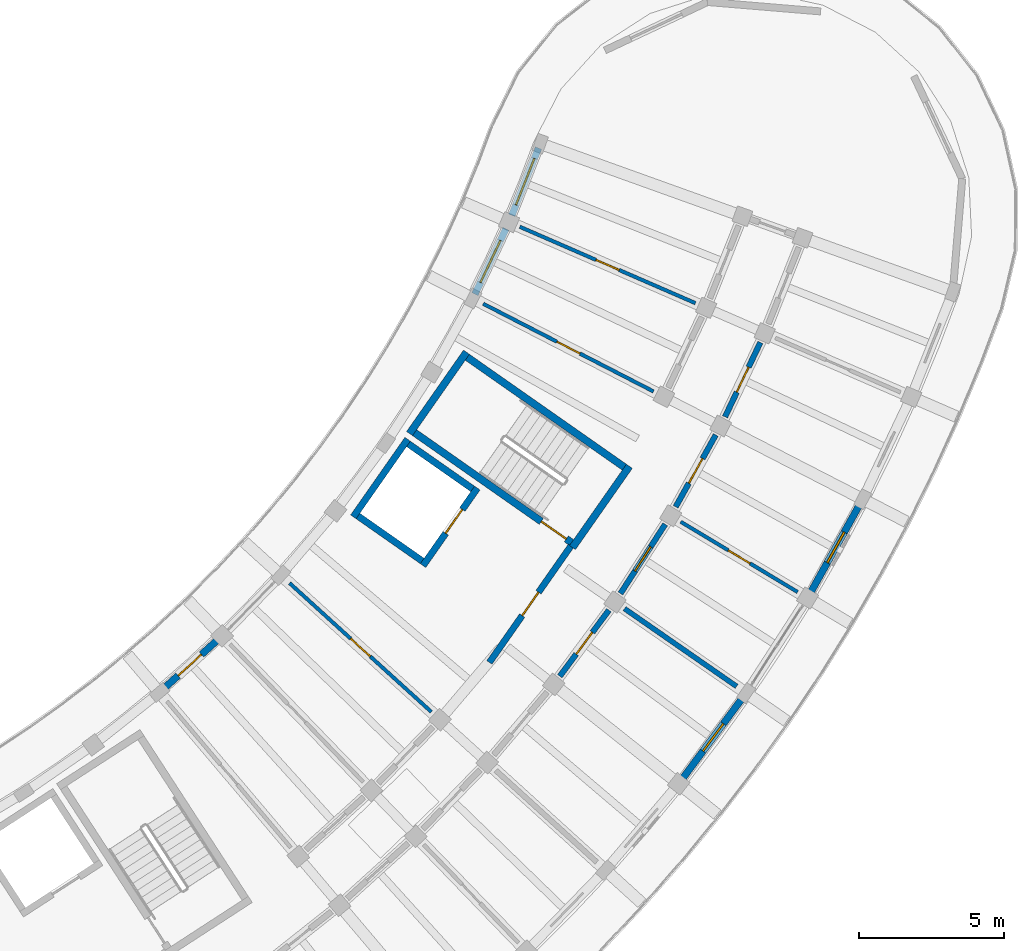
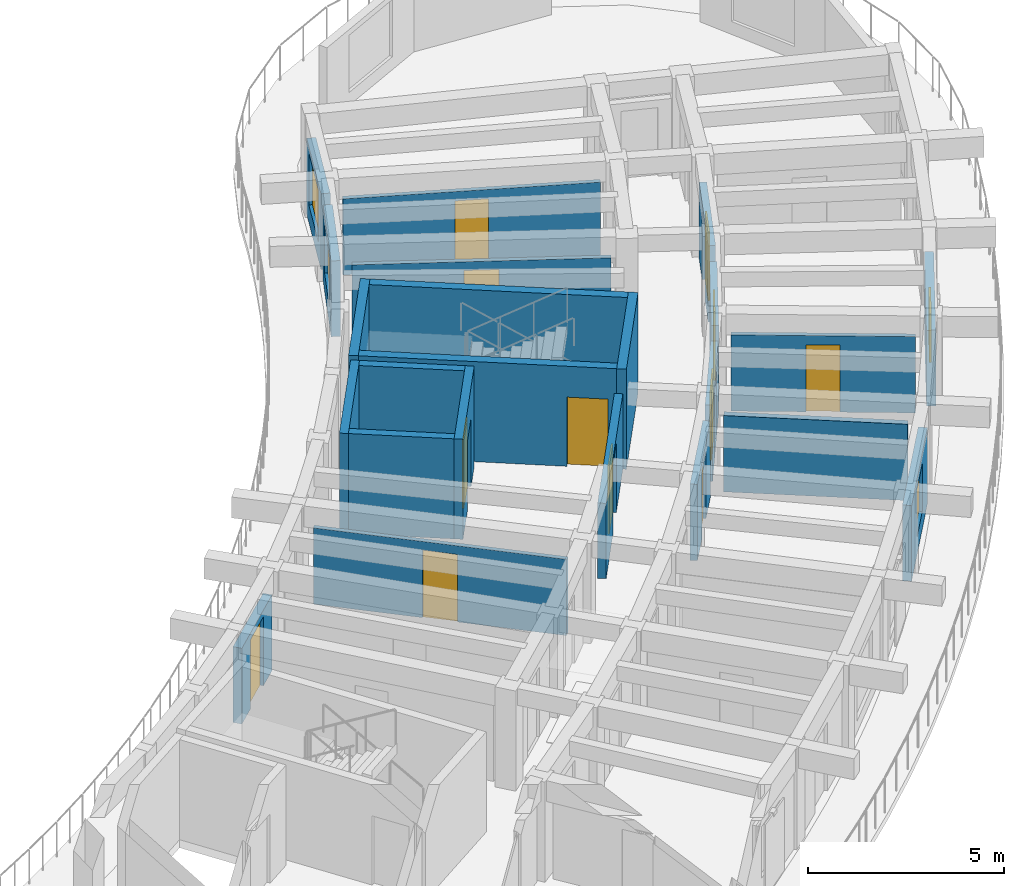
# One storey, part 50 of 78: 23 walls, 12 doors, 4 windows, 16 openings.
"""IFC4 building model written with IfcOpenShell, lengths in metres."""

from ifc_helpers import new_model, si_unit, direction, frame, frame_2d, origin, place, context, subcontext, project, spatial, rectangle, extrude, material, layer, layer_set, type_object, element, fill, save


model = new_model("IFC4")

# Units and contexts
model_context = context("Model", 3, precision=1e-05, world=origin(), true_north=direction((0.0, 1.0)))
body_context = subcontext(model_context, "Body", "Model", "MODEL_VIEW")
ifc_project = project(units=[si_unit("LENGTHUNIT", "METRE"), si_unit("AREAUNIT", "SQUARE_METRE"), si_unit("VOLUMEUNIT", "CUBIC_METRE"), si_unit("PLANEANGLEUNIT", "RADIAN"), si_unit("MASSUNIT", "GRAM", prefix="KILO")], contexts=[model_context])

# Site, building, storey
site_placement = place(None, origin())
site = spatial("IfcSite", under=ifc_project, at=site_placement, CompositionType="ELEMENT")
building_placement = place(site_placement, origin())
building = spatial("IfcBuilding", under=site, at=building_placement, Name="Tanwirah Colonnade Gardens", CompositionType="ELEMENT")
storey_placement = place(building_placement, frame((0.0, 0.0, 22.280029296875)))
storey = spatial("IfcBuildingStorey", under=building, at=storey_placement, Name="L06", CompositionType="ELEMENT", Elevation=22.280029296875)

# Wall, opening, door
ifc_material_1 = material(Name="Limestone architectural precast concrete C40/50", Category="masonry")
ifc_layer_1 = layer(ifc_material_1, 0.239990234375)
ifc_layer_set_1 = layer_set([ifc_layer_1], Name="Limestone architectural precast concrete C40/50")
wall_type_1 = type_object("IfcWallType", Name="EW-PC240", PredefinedType="SOLIDWALL", material=ifc_layer_set_1)
wall_1_placement = place(storey_placement, frame((149.8388671875, 30.681640625, 0.0), z_axis=(0.0, 0.0, 1.0), x_axis=(0.741683903342, 0.670749571393, 0.0)))
wall_1 = element("IfcWall", 1, at=wall_1_placement, inside=storey, type_object=wall_type_1, Name="Block D L06 IN Precast Facade Wall 7", PredefinedType="SOLIDWALL", context=body_context, shape_type="SweptSolid", body=[
    extrude(rectangle(XDim=2.498779296875, YDim=0.239990234375, at=frame_2d((1.24951171875, 0.0))), origin(), (0.0, 0.0, 1.0), 2.35498046875),
])
opening_1_placement = place(wall_1_placement, frame((0.70947265625, 0.0, 0.0)))
opening_1 = element("IfcOpeningElement", 2, at=opening_1_placement, cuts=wall_1, Name="Opening L06-ED206", PredefinedType="OPENING", context=body_context, shape_type="SweptSolid", body=[
    extrude(rectangle(XDim=1.080078125, YDim=2.14990234375, at=frame_2d((0.5400390625, 1.074951171875))), frame((0.0, 0.1298828125, 0.0), z_axis=(0.0, -1.0, 0.0), x_axis=(1.0, 0.0, 0.0)), (0.0, 0.0, 1.0), 0.260009765625),
])
ifc_material_2 = material(Name="Bronze aluminium glazed balcony door", Category="aluminium")
door_type_1 = type_object("IfcDoorType", Name="ED-BAL108", OperationType="NOTDEFINED", PredefinedType="DOOR", material=ifc_material_2)
door_1_placement = place(opening_1_placement, origin())
door_1 = element("IfcDoor", 3, at=door_1_placement, inside=storey, type_object=door_type_1, Name="Balcony glazed door L06-ED206", OperationType="SINGLE_SWING_RIGHT", OverallHeight=2.14990234375, OverallWidth=1.080078125, PredefinedType="DOOR", context=body_context, shape_type="SweptSolid", body=[
    extrude(rectangle(XDim=1.080078125, YDim=2.14990234375, at=frame_2d((0.5400390625, 1.074951171875))), frame((0.0, 0.02490234375, 0.0), z_axis=(0.0, -1.0, 0.0), x_axis=(1.0, 0.0, 0.0)), (0.0, 0.0, 1.0), 0.050048828125),
])
fill(opening_1, door_1)

# Wall, opening, window
wall_2_placement = place(storey_placement, frame((167.75341796875, 27.6298828125, 0.0), z_axis=(0.0, 0.0, 1.0), x_axis=(0.596611432616, 0.802530247699, 0.0)))
wall_2 = element("IfcWall", 4, at=wall_2_placement, inside=storey, type_object=wall_type_1, Name="Block D L06 OUT Precast Facade Wall 10", PredefinedType="SOLIDWALL", context=body_context, shape_type="SweptSolid", body=[
    extrude(rectangle(XDim=3.48681640625, YDim=0.239990234375, at=frame_2d((1.743408203125, 0.0))), origin(), (0.0, 0.0, 1.0), 2.35498046875),
])
opening_2_placement = place(wall_2_placement, frame((1.1533203125, 0.0, 0.550048828125)))
opening_2 = element("IfcOpeningElement", 5, at=opening_2_placement, cuts=wall_2, Name="Opening WIN-T16", PredefinedType="OPENING", context=body_context, shape_type="SweptSolid", body=[
    extrude(rectangle(XDim=1.179931640625, YDim=1.47998046875, at=frame_2d((0.58984375, 0.739990234375))), frame((0.0, 0.1298828125, 0.0), z_axis=(0.0, -1.0, 0.0), x_axis=(1.0, 0.0, 0.0)), (0.0, 0.0, 1.0), 0.260009765625),
])
ifc_material_3 = material(Name="Thermally broken bronze aluminium and solar low-E double glazing", Category="aluminium")
window_type_1 = type_object("IfcWindowType", Name="WIN-T16", PartitioningType="SINGLE_PANEL", PredefinedType="WINDOW", material=ifc_material_3)
window_1_placement = place(opening_2_placement, origin())
window_1 = element("IfcWindow", 6, at=window_1_placement, inside=storey, type_object=window_type_1, Name="Facade window D-L06-OUT-10", OverallHeight=1.47998046875, OverallWidth=1.179931640625, PartitioningType="SINGLE_PANEL", PredefinedType="WINDOW", context=body_context, shape_type="SweptSolid", body=[
    extrude(rectangle(XDim=1.179931640625, YDim=1.47998046875, at=frame_2d((0.58984375, 0.739990234375))), frame((0.0, 0.030029296875, 0.0), z_axis=(0.0, -1.0, 0.0), x_axis=(1.0, 0.0, 0.0)), (0.0, 0.0, 1.0), 0.06005859375),
])
fill(opening_2, window_1)

wall_3_placement = place(storey_placement, frame((172.166015625, 34.0478515625, 0.0), z_axis=(0.0, 0.0, 1.0), x_axis=(0.486706738221, 0.87356542455, 0.0)))
wall_3 = element("IfcWall", 7, at=wall_3_placement, inside=storey, type_object=wall_type_1, Name="Block D L06 OUT Precast Facade Wall 12", PredefinedType="SOLIDWALL", context=body_context, shape_type="SweptSolid", body=[
    extrude(rectangle(XDim=3.48681640625, YDim=0.239990234375, at=frame_2d((1.743408203125, 0.0))), origin(), (0.0, 0.0, 1.0), 2.35498046875),
])
opening_3_placement = place(wall_3_placement, frame((1.143310546875, 0.0, 0.550048828125)))
opening_3 = element("IfcOpeningElement", 8, at=opening_3_placement, cuts=wall_3, Name="Opening WIN-U02", PredefinedType="OPENING", context=body_context, shape_type="SweptSolid", body=[
    extrude(rectangle(XDim=1.199951171875, YDim=1.510009765625, at=frame_2d((0.60009765625, 0.7548828125))), frame((0.0, 0.1298828125, 0.0), z_axis=(0.0, -1.0, 0.0), x_axis=(1.0, 0.0, 0.0)), (0.0, 0.0, 1.0), 0.260009765625),
])
window_type_2 = type_object("IfcWindowType", Name="WIN-U02", PartitioningType="DOUBLE_PANEL_VERTICAL", PredefinedType="WINDOW", material=ifc_material_3)
window_2_placement = place(opening_3_placement, origin())
window_2 = element("IfcWindow", 9, at=window_2_placement, inside=storey, type_object=window_type_2, Name="Facade window D-L06-OUT-12", OverallHeight=1.510009765625, OverallWidth=1.199951171875, PartitioningType="SINGLE_PANEL", PredefinedType="WINDOW", context=body_context, shape_type="SweptSolid", body=[
    extrude(rectangle(XDim=1.199951171875, YDim=1.510009765625, at=frame_2d((0.60009765625, 0.7548828125))), frame((0.0, 0.030029296875, 0.0), z_axis=(0.0, -1.0, 0.0), x_axis=(1.0, 0.0, 0.0)), (0.0, 0.0, 1.0), 0.06005859375),
])
fill(opening_3, window_2)

wall_4_placement = place(storey_placement, frame((160.58544921875, 44.2919921875, 0.0), z_axis=(0.0, 0.0, 1.0), x_axis=(0.428514676045, 0.903534820809, 0.0)))
wall_4 = element("IfcWall", 10, at=wall_4_placement, inside=storey, type_object=wall_type_1, Name="Block D L06 IN Precast Facade Wall 13", PredefinedType="SOLIDWALL", context=body_context, shape_type="SweptSolid", body=[
    extrude(rectangle(XDim=2.498779296875, YDim=0.239990234375, at=frame_2d((1.24951171875, 0.0))), origin(), (0.0, 0.0, 1.0), 2.35498046875),
])
opening_4_placement = place(wall_4_placement, frame((0.449462890625, 0.0, 0.550048828125)))
opening_4 = element("IfcOpeningElement", 11, at=opening_4_placement, cuts=wall_4, Name="Opening WIN-U12", PredefinedType="OPENING", context=body_context, shape_type="SweptSolid", body=[
    extrude(rectangle(XDim=1.60009765625, YDim=1.534912109375, at=frame_2d((0.800048828125, 0.767578125))), frame((0.0, 0.1298828125, 0.0), z_axis=(0.0, -1.0, 0.0), x_axis=(1.0, 0.0, 0.0)), (0.0, 0.0, 1.0), 0.260009765625),
])
window_type_3 = type_object("IfcWindowType", Name="WIN-U12", PartitioningType="DOUBLE_PANEL_VERTICAL", PredefinedType="WINDOW", material=ifc_material_3)
window_3_placement = place(opening_4_placement, origin())
window_3 = element("IfcWindow", 12, at=window_3_placement, inside=storey, type_object=window_type_3, Name="Facade window D-L06-IN-13", OverallHeight=1.534912109375, OverallWidth=1.60009765625, PartitioningType="SINGLE_PANEL", PredefinedType="WINDOW", context=body_context, shape_type="SweptSolid", body=[
    extrude(rectangle(XDim=1.60009765625, YDim=1.534912109375, at=frame_2d((0.800048828125, 0.767578125))), frame((0.0, 0.030029296875, 0.0), z_axis=(0.0, -1.0, 0.0), x_axis=(1.0, 0.0, 0.0)), (0.0, 0.0, 1.0), 0.06005859375),
])
fill(opening_4, window_3)

wall_5_placement = place(storey_placement, frame((161.85546875, 47.008056640625, 0.0), z_axis=(0.0, 0.0, 1.0), x_axis=(0.368558756085, 0.9296044553, 0.0)))
wall_5 = element("IfcWall", 13, at=wall_5_placement, inside=storey, type_object=wall_type_1, Name="Block D L06 IN Precast Facade Wall 14", PredefinedType="SOLIDWALL", context=body_context, shape_type="SweptSolid", body=[
    extrude(rectangle(XDim=2.49853515625, YDim=0.239990234375, at=frame_2d((1.249267578125, 0.0))), origin(), (0.0, 0.0, 1.0), 2.35498046875),
])
opening_5_placement = place(wall_5_placement, frame((0.389404296875, 0.0, 0.550048828125)))
opening_5 = element("IfcOpeningElement", 14, at=opening_5_placement, cuts=wall_5, Name="Opening WIN-U15", PredefinedType="OPENING", context=body_context, shape_type="SweptSolid", body=[
    extrude(rectangle(XDim=1.719970703125, YDim=1.610107421875, at=frame_2d((0.85986328125, 0.80517578125))), frame((0.0, 0.1298828125, 0.0), z_axis=(0.0, -1.0, 0.0), x_axis=(1.0, 0.0, 0.0)), (0.0, 0.0, 1.0), 0.260009765625),
])
window_type_4 = type_object("IfcWindowType", Name="WIN-U15", PartitioningType="DOUBLE_PANEL_VERTICAL", PredefinedType="WINDOW", material=ifc_material_3)
window_4_placement = place(opening_5_placement, origin())
window_4 = element("IfcWindow", 15, at=window_4_placement, inside=storey, type_object=window_type_4, Name="Facade window D-L06-IN-14", OverallHeight=1.610107421875, OverallWidth=1.719970703125, PartitioningType="SINGLE_PANEL", PredefinedType="WINDOW", context=body_context, shape_type="SweptSolid", body=[
    extrude(rectangle(XDim=1.719970703125, YDim=1.610107421875, at=frame_2d((0.85986328125, 0.80517578125))), frame((0.0, 0.030029296875, 0.0), z_axis=(0.0, -1.0, 0.0), x_axis=(1.0, 0.0, 0.0)), (0.0, 0.0, 1.0), 0.06005859375),
])
fill(opening_5, window_4)

# Wall, opening, door
ifc_material_4 = material(Name="Precast concrete C40/50", Category="concrete")
ifc_layer_2 = layer(ifc_material_4, 0.195068359375)
ifc_layer_set_2 = layer_set([ifc_layer_2], Name="Precast concrete C40/50")
wall_type_2 = type_object("IfcWallType", Name="IW-CORR195", PredefinedType="PARTITIONING", material=ifc_layer_set_2)
wall_6_placement = place(storey_placement, frame((163.5087890625, 31.134033203125, 0.0), z_axis=(0.0, 0.0, 1.0), x_axis=(0.596552136601, 0.802574325727, 0.0)))
wall_6 = element("IfcWall", 16, at=wall_6_placement, inside=storey, type_object=wall_type_2, Name="Block D L06 OUT Corridor Wall 10", PredefinedType="PARTITIONING", context=body_context, shape_type="SweptSolid", body=[
    extrude(rectangle(XDim=2.8369140625, YDim=0.195068359375, at=frame_2d((1.41845703125, 0.0))), origin(), (0.0, 0.0, 1.0), 2.369873046875),
])
opening_6_placement = place(wall_6_placement, frame((0.95361328125, 0.0, 0.0)))
opening_6 = element("IfcOpeningElement", 17, at=opening_6_placement, cuts=wall_6, Name="Opening L06-AD1889", PredefinedType="OPENING", context=body_context, shape_type="SweptSolid", body=[
    extrude(rectangle(XDim=0.929931640625, YDim=2.1201171875, at=frame_2d((0.46484375, 1.06005859375))), frame((0.0, 0.107421875, 0.0), z_axis=(0.0, -1.0, 0.0), x_axis=(1.0, 0.0, 0.0)), (0.0, 0.0, 1.0), 0.215087890625),
])
ifc_material_5 = material(Name="Solid oak fire-resisting apartment entrance door")
door_type_2 = type_object("IfcDoorType", Name="ID-FLT093", OperationType="NOTDEFINED", PredefinedType="DOOR", material=ifc_material_5)
door_2_placement = place(opening_6_placement, origin())
door_2 = element("IfcDoor", 18, at=door_2_placement, inside=storey, type_object=door_type_2, Name="Apartment corridor door L06-AD1889", OperationType="SINGLE_SWING_LEFT", OverallHeight=2.1201171875, OverallWidth=0.929931640625, PredefinedType="DOOR", context=body_context, shape_type="SweptSolid", body=[
    extrude(rectangle(XDim=0.929931640625, YDim=2.1201171875, at=frame_2d((0.46484375, 1.06005859375))), frame((0.0, 0.02490234375, 0.0), z_axis=(0.0, -1.0, 0.0), x_axis=(1.0, 0.0, 0.0)), (0.0, 0.0, 1.0), 0.050048828125),
])
fill(opening_6, door_2)

wall_7_placement = place(storey_placement, frame((165.60009765625, 33.985595703125, 0.0), z_axis=(0.0, 0.0, 1.0), x_axis=(0.542787304957, 0.83987019329, 0.0)))
wall_7 = element("IfcWall", 19, at=wall_7_placement, inside=storey, type_object=wall_type_2, Name="Block D L06 OUT Corridor Wall 11", PredefinedType="PARTITIONING", context=body_context, shape_type="SweptSolid", body=[
    extrude(rectangle(XDim=2.8369140625, YDim=0.195068359375, at=frame_2d((1.41845703125, 0.0))), origin(), (0.0, 0.0, 1.0), 2.369873046875),
])
opening_7_placement = place(wall_7_placement, frame((0.923583984375, 0.0, 0.0)))
opening_7 = element("IfcOpeningElement", 20, at=opening_7_placement, cuts=wall_7, Name="Opening L06-AD1890", PredefinedType="OPENING", context=body_context, shape_type="SweptSolid", body=[
    extrude(rectangle(XDim=0.989990234375, YDim=2.159912109375, at=frame_2d((0.4951171875, 1.080078125))), frame((0.0, 0.107421875, 0.0), z_axis=(0.0, -1.0, 0.0), x_axis=(1.0, 0.0, 0.0)), (0.0, 0.0, 1.0), 0.215087890625),
])
door_type_3 = type_object("IfcDoorType", Name="ID-FLT099", OperationType="NOTDEFINED", PredefinedType="DOOR", material=ifc_material_5)
door_3_placement = place(opening_7_placement, origin())
door_3 = element("IfcDoor", 21, at=door_3_placement, inside=storey, type_object=door_type_3, Name="Apartment corridor door L06-AD1890", OperationType="SINGLE_SWING_RIGHT", OverallHeight=2.159912109375, OverallWidth=0.989990234375, PredefinedType="DOOR", context=body_context, shape_type="SweptSolid", body=[
    extrude(rectangle(XDim=0.989990234375, YDim=2.159912109375, at=frame_2d((0.4951171875, 1.080078125))), frame((0.0, 0.02490234375, 0.0), z_axis=(0.0, -1.0, 0.0), x_axis=(1.0, 0.0, 0.0)), (0.0, 0.0, 1.0), 0.050048828125),
])
fill(opening_7, door_3)

wall_8_placement = place(storey_placement, frame((167.500244140625, 36.968017578125, 0.0), z_axis=(0.0, 0.0, 1.0), x_axis=(0.48673124079, 0.8735517725, 0.0)))
wall_8 = element("IfcWall", 22, at=wall_8_placement, inside=storey, type_object=wall_type_2, Name="Block D L06 OUT Corridor Wall 12", PredefinedType="PARTITIONING", context=body_context, shape_type="SweptSolid", body=[
    extrude(rectangle(XDim=2.8369140625, YDim=0.195068359375, at=frame_2d((1.41845703125, 0.0))), origin(), (0.0, 0.0, 1.0), 2.369873046875),
])
opening_8_placement = place(wall_8_placement, frame((0.93359375, 0.0, 0.0)))
opening_8 = element("IfcOpeningElement", 23, at=opening_8_placement, cuts=wall_8, Name="Opening L06-AD1892", PredefinedType="OPENING", context=body_context, shape_type="SweptSolid", body=[
    extrude(rectangle(XDim=0.969970703125, YDim=2.14990234375, at=frame_2d((0.48486328125, 1.074951171875))), frame((0.0, 0.107421875, 0.0), z_axis=(0.0, -1.0, 0.0), x_axis=(1.0, 0.0, 0.0)), (0.0, 0.0, 1.0), 0.215087890625),
])
door_type_4 = type_object("IfcDoorType", Name="ID-FLT097", OperationType="NOTDEFINED", PredefinedType="DOOR", material=ifc_material_5)
door_4_placement = place(opening_8_placement, origin())
door_4 = element("IfcDoor", 24, at=door_4_placement, inside=storey, type_object=door_type_4, Name="Apartment corridor door L06-AD1892", OperationType="SINGLE_SWING_LEFT", OverallHeight=2.14990234375, OverallWidth=0.969970703125, PredefinedType="DOOR", context=body_context, shape_type="SweptSolid", body=[
    extrude(rectangle(XDim=0.969970703125, YDim=2.14990234375, at=frame_2d((0.48486328125, 1.074951171875))), frame((0.0, 0.02490234375, 0.0), z_axis=(0.0, -1.0, 0.0), x_axis=(1.0, 0.0, 0.0)), (0.0, 0.0, 1.0), 0.050048828125),
])
fill(opening_8, door_4)

wall_9_placement = place(storey_placement, frame((169.201416015625, 40.068115234375, 0.0), z_axis=(0.0, 0.0, 1.0), x_axis=(0.428493237107, 0.903544988229, 0.0)))
wall_9 = element("IfcWall", 25, at=wall_9_placement, inside=storey, type_object=wall_type_2, Name="Block D L06 OUT Corridor Wall 13", PredefinedType="PARTITIONING", context=body_context, shape_type="SweptSolid", body=[
    extrude(rectangle(XDim=2.8369140625, YDim=0.195068359375, at=frame_2d((1.41845703125, 0.0))), origin(), (0.0, 0.0, 1.0), 2.369873046875),
])
opening_9_placement = place(wall_9_placement, frame((0.943603515625, 0.0, 0.0)))
opening_9 = element("IfcOpeningElement", 26, at=opening_9_placement, cuts=wall_9, Name="Opening L06-AD1894", PredefinedType="OPENING", context=body_context, shape_type="SweptSolid", body=[
    extrude(rectangle(XDim=0.949951171875, YDim=2.1298828125, at=frame_2d((0.47509765625, 1.06494140625))), frame((0.0, 0.107421875, 0.0), z_axis=(0.0, -1.0, 0.0), x_axis=(1.0, 0.0, 0.0)), (0.0, 0.0, 1.0), 0.215087890625),
])
door_type_5 = type_object("IfcDoorType", Name="ID-FLT095", OperationType="NOTDEFINED", PredefinedType="DOOR", material=ifc_material_5)
door_5_placement = place(opening_9_placement, origin())
door_5 = element("IfcDoor", 27, at=door_5_placement, inside=storey, type_object=door_type_5, Name="Apartment corridor door L06-AD1894", OperationType="SINGLE_SWING_RIGHT", OverallHeight=2.1298828125, OverallWidth=0.949951171875, PredefinedType="DOOR", context=body_context, shape_type="SweptSolid", body=[
    extrude(rectangle(XDim=0.949951171875, YDim=2.1298828125, at=frame_2d((0.47509765625, 1.06494140625))), frame((0.0, 0.02490234375, 0.0), z_axis=(0.0, -1.0, 0.0), x_axis=(1.0, 0.0, 0.0)), (0.0, 0.0, 1.0), 0.050048828125),
])
fill(opening_9, door_5)

# Wall
ifc_layer_3 = layer(ifc_material_4, 0.175048828125)
ifc_layer_set_3 = layer_set([ifc_layer_3], Name="Precast concrete C40/50")
wall_type_3 = type_object("IfcWallType", Name="IW-DEM175", PredefinedType="PARTITIONING", material=ifc_layer_set_3)
wall_10_placement = place(storey_placement, frame((165.73876953125, 33.463623046875, 0.0), z_axis=(0.0, 0.0, 1.0), x_axis=(0.821638260647, -0.570009270663, 0.0)))
element("IfcWall", 28, at=wall_10_placement, inside=storey, type_object=wall_type_3, Name="Block D L06 Radial Partition 10", PredefinedType="PARTITIONING", context=body_context, shape_type="SweptSolid", body=[
    extrude(rectangle(XDim=4.699951171875, YDim=0.175048828125, at=frame_2d((2.35009765625, 0.0))), origin(), (0.0, 0.0, 1.0), 2.369873046875),
])

# Wall, opening, door
ifc_material_6 = material(Name="Autoclaved aerated masonry blockwork", Category="masonry")
ifc_layer_4 = layer(ifc_material_6, 0.219970703125)
ifc_layer_set_4 = layer_set([ifc_layer_4], Name="Autoclaved aerated masonry blockwork")
wall_type_4 = type_object("IfcWallType", Name="IW-FFL220", PredefinedType="PARTITIONING", material=ifc_layer_set_4)
wall_11_placement = place(storey_placement, frame((163.89501953125, 35.624267578125, 0.0), z_axis=(0.0, 0.0, 1.0), x_axis=(-0.573572687386, -0.819154669329, 0.0)))
wall_11 = element("IfcWall", 29, at=wall_11_placement, inside=storey, type_object=wall_type_4, Name="CORE-D2 L06 Enclosed Lobby Fire Wall", PredefinedType="PARTITIONING", context=body_context, shape_type="SweptSolid", body=[
    extrude(rectangle(XDim=4.900146484375, YDim=0.219970703125, at=frame_2d((2.4501953125, 0.0))), origin(), (0.0, 0.0, 1.0), 2.340087890625),
])
opening_10_placement = place(wall_11_placement, frame((1.949951171875, 0.0, 0.0)))
opening_10 = element("IfcOpeningElement", 30, at=opening_10_placement, cuts=wall_11, Name="Opening L06-LD206", PredefinedType="OPENING", context=body_context, shape_type="SweptSolid", body=[
    extrude(rectangle(XDim=0.97998046875, YDim=2.139892578125, at=frame_2d((0.489990234375, 1.06982421875))), frame((0.0, 0.119873046875, 0.0), z_axis=(0.0, -1.0, 0.0), x_axis=(1.0, 0.0, 0.0)), (0.0, 0.0, 1.0), 0.239990234375),
])
ifc_material_7 = material(Name="Acoustic fire-resisting lobby door")
door_type_6 = type_object("IfcDoorType", Name="ID-FFL098", OperationType="NOTDEFINED", PredefinedType="DOOR", material=ifc_material_7)
door_6_placement = place(opening_10_placement, origin())
door_6 = element("IfcDoor", 31, at=door_6_placement, inside=storey, type_object=door_type_6, Name="CORE-D2 L06 Lobby Fire Door L06-LD206", OperationType="SINGLE_SWING_LEFT", OverallHeight=2.139892578125, OverallWidth=0.97998046875, PredefinedType="DOOR", context=body_context, shape_type="SweptSolid", body=[
    extrude(rectangle(XDim=0.97998046875, YDim=2.139892578125, at=frame_2d((0.489990234375, 1.06982421875))), frame((0.0, 0.02490234375, 0.0), z_axis=(0.0, -1.0, 0.0), x_axis=(1.0, 0.0, 0.0)), (0.0, 0.0, 1.0), 0.050048828125),
])
fill(opening_10, door_6)

ifc_material_8 = material(Name="Moisture-resistant gypsum stud partition")
ifc_layer_5 = layer(ifc_material_8, 0.125)
ifc_layer_set_5 = layer_set([ifc_layer_5], Name="Moisture-resistant gypsum stud partition")
wall_type_5 = type_object("IfcWallType", Name="IW-INT125", PredefinedType="PARTITIONING", material=ifc_layer_set_5)
wall_12_placement = place(storey_placement, frame((154.19873046875, 34.34423828125, 0.0), z_axis=(0.0, 0.0, 1.0), x_axis=(0.74023124711, -0.672352363573, 0.0)))
wall_12 = element("IfcWall", 32, at=wall_12_placement, inside=storey, type_object=wall_type_5, Name="Block D L06 Inner Radial Partition 8", PredefinedType="PARTITIONING", context=body_context, shape_type="SweptSolid", body=[
    extrude(rectangle(XDim=6.599853515625, YDim=0.125, at=frame_2d((3.2998046875, 0.0))), origin(), (0.0, 0.0, 1.0), 2.369873046875),
])
opening_11_placement = place(wall_12_placement, frame((2.844970703125, 0.0, 0.0)))
opening_11 = element("IfcOpeningElement", 33, at=opening_11_placement, cuts=wall_12, Name="Opening L06-RD1887", PredefinedType="OPENING", context=body_context, shape_type="SweptSolid", body=[
    extrude(rectangle(XDim=0.909912109375, YDim=2.10009765625, at=frame_2d((0.455078125, 1.050048828125))), frame((0.0, 0.072509765625, 0.0), z_axis=(0.0, -1.0, 0.0), x_axis=(1.0, 0.0, 0.0)), (0.0, 0.0, 1.0), 0.14501953125),
])
ifc_material_9 = material(Name="Painted hardwood internal room door", Category="wood")
door_type_7 = type_object("IfcDoorType", Name="ID-RM091", OperationType="NOTDEFINED", PredefinedType="DOOR", material=ifc_material_9)
door_7_placement = place(opening_11_placement, origin())
door_7 = element("IfcDoor", 34, at=door_7_placement, inside=storey, type_object=door_type_7, Name="Internal apartment door L06-RD1887", OperationType="SINGLE_SWING_RIGHT", OverallHeight=2.10009765625, OverallWidth=0.909912109375, PredefinedType="DOOR", context=body_context, shape_type="SweptSolid", body=[
    extrude(rectangle(XDim=0.909912109375, YDim=2.10009765625, at=frame_2d((0.455078125, 1.050048828125))), frame((0.0, 0.02490234375, 0.0), z_axis=(0.0, -1.0, 0.0), x_axis=(1.0, 0.0, 0.0)), (0.0, 0.0, 1.0), 0.050048828125),
])
fill(opening_11, door_7)

wall_13_placement = place(storey_placement, frame((167.6728515625, 36.456298828125, 0.0), z_axis=(0.0, 0.0, 1.0), x_axis=(0.857139805444, -0.515083831937, 0.0)))
wall_13 = element("IfcWall", 35, at=wall_13_placement, inside=storey, type_object=wall_type_5, Name="Block D L06 Radial Partition 11", PredefinedType="PARTITIONING", context=body_context, shape_type="SweptSolid", body=[
    extrude(rectangle(XDim=4.699951171875, YDim=0.125, at=frame_2d((2.35009765625, 0.0))), origin(), (0.0, 0.0, 1.0), 2.369873046875),
])
opening_12_placement = place(wall_13_placement, frame((1.9150390625, 0.0, 0.0)))
opening_12 = element("IfcOpeningElement", 36, at=opening_12_placement, cuts=wall_13, Name="Opening L06-RD1891", PredefinedType="OPENING", context=body_context, shape_type="SweptSolid", body=[
    extrude(rectangle(XDim=0.8701171875, YDim=2.080078125, at=frame_2d((0.43505859375, 1.0400390625))), frame((0.0, 0.072509765625, 0.0), z_axis=(0.0, -1.0, 0.0), x_axis=(1.0, 0.0, 0.0)), (0.0, 0.0, 1.0), 0.14501953125),
])
ifc_material_10 = material(Name="Painted hardwood study door", Category="wood")
door_type_8 = type_object("IfcDoorType", Name="ID-RM087", OperationType="NOTDEFINED", PredefinedType="DOOR", material=ifc_material_10)
door_8_placement = place(opening_12_placement, origin())
door_8 = element("IfcDoor", 37, at=door_8_placement, inside=storey, type_object=door_type_8, Name="Internal apartment door L06-RD1891", OperationType="SINGLE_SWING_RIGHT", OverallHeight=2.080078125, OverallWidth=0.8701171875, PredefinedType="DOOR", context=body_context, shape_type="SweptSolid", body=[
    extrude(rectangle(XDim=0.8701171875, YDim=2.080078125, at=frame_2d((0.43505859375, 1.0400390625))), frame((0.0, 0.02490234375, 0.0), z_axis=(0.0, -1.0, 0.0), x_axis=(1.0, 0.0, 0.0)), (0.0, 0.0, 1.0), 0.050048828125),
])
fill(opening_12, door_8)

wall_14_placement = place(storey_placement, frame((160.872314453125, 43.96435546875, 0.0), z_axis=(0.0, 0.0, 1.0), x_axis=(0.889022010753, -0.457864460727, 0.0)))
wall_14 = element("IfcWall", 38, at=wall_14_placement, inside=storey, type_object=wall_type_5, Name="Block D L06 Inner Radial Partition 12", PredefinedType="PARTITIONING", context=body_context, shape_type="SweptSolid", body=[
    extrude(rectangle(XDim=6.60009765625, YDim=0.125, at=frame_2d((3.300048828125, 0.0))), origin(), (0.0, 0.0, 1.0), 2.369873046875),
])
opening_13_placement = place(wall_14_placement, frame((2.85498046875, 0.0, 0.0)))
opening_13 = element("IfcOpeningElement", 39, at=opening_13_placement, cuts=wall_14, Name="Opening L06-RD1893", PredefinedType="OPENING", context=body_context, shape_type="SweptSolid", body=[
    extrude(rectangle(XDim=0.889892578125, YDim=2.10009765625, at=frame_2d((0.44482421875, 1.050048828125))), frame((0.0, 0.072509765625, 0.0), z_axis=(0.0, -1.0, 0.0), x_axis=(1.0, 0.0, 0.0)), (0.0, 0.0, 1.0), 0.14501953125),
])
ifc_material_11 = material(Name="Painted hardwood bedroom door", Category="wood")
door_type_9 = type_object("IfcDoorType", Name="ID-RM089", OperationType="NOTDEFINED", PredefinedType="DOOR", material=ifc_material_11)
door_9_placement = place(opening_13_placement, origin())
door_9 = element("IfcDoor", 40, at=door_9_placement, inside=storey, type_object=door_type_9, Name="Internal apartment door L06-RD1893", OperationType="SINGLE_SWING_RIGHT", OverallHeight=2.10009765625, OverallWidth=0.889892578125, PredefinedType="DOOR", context=body_context, shape_type="SweptSolid", body=[
    extrude(rectangle(XDim=0.889892578125, YDim=2.10009765625, at=frame_2d((0.44482421875, 1.050048828125))), frame((0.0, 0.02490234375, 0.0), z_axis=(0.0, -1.0, 0.0), x_axis=(1.0, 0.0, 0.0)), (0.0, 0.0, 1.0), 0.050048828125),
])
fill(opening_13, door_9)

wall_15_placement = place(storey_placement, frame((162.130126953125, 46.6162109375, 0.0), z_axis=(0.0, 0.0, 1.0), x_axis=(0.9170582943, -0.398753162817, 0.0)))
wall_15 = element("IfcWall", 41, at=wall_15_placement, inside=storey, type_object=wall_type_5, Name="Block D L06 Inner Radial Partition 13", PredefinedType="PARTITIONING", context=body_context, shape_type="SweptSolid", body=[
    extrude(rectangle(XDim=6.60009765625, YDim=0.125, at=frame_2d((3.300048828125, 0.0))), origin(), (0.0, 0.0, 1.0), 2.369873046875),
])
opening_14_placement = place(wall_15_placement, frame((2.864990234375, 0.0, 0.0)))
opening_14 = element("IfcOpeningElement", 42, at=opening_14_placement, cuts=wall_15, Name="Opening L06-RD1897", PredefinedType="OPENING", context=body_context, shape_type="SweptSolid", body=[
    extrude(rectangle(XDim=0.8701171875, YDim=2.080078125, at=frame_2d((0.43505859375, 1.0400390625))), frame((0.0, 0.072509765625, 0.0), z_axis=(0.0, -1.0, 0.0), x_axis=(1.0, 0.0, 0.0)), (0.0, 0.0, 1.0), 0.14501953125),
])
door_10_placement = place(opening_14_placement, origin())
door_10 = element("IfcDoor", 43, at=door_10_placement, inside=storey, type_object=door_type_8, Name="Internal apartment door L06-RD1897", OperationType="SINGLE_SWING_LEFT", OverallHeight=2.080078125, OverallWidth=0.8701171875, PredefinedType="DOOR", context=body_context, shape_type="SweptSolid", body=[
    extrude(rectangle(XDim=0.8701171875, YDim=2.080078125, at=frame_2d((0.43505859375, 1.0400390625))), frame((0.0, 0.02490234375, 0.0), z_axis=(0.0, -1.0, 0.0), x_axis=(1.0, 0.0, 0.0)), (0.0, 0.0, 1.0), 0.050048828125),
])
fill(opening_14, door_10)

# Walls
ifc_material_12 = material(Name="Concrete C45/55", Category="concrete")
ifc_layer_6 = layer(ifc_material_12, 0.25)
ifc_layer_set_6 = layer_set([ifc_layer_6], Name="Concrete C45/55")
wall_type_6 = type_object("IfcWallType", Name="SW-CORE250", PredefinedType="SHEAR", material=ifc_layer_set_6)
wall_16_placement = place(storey_placement, frame((165.732666015625, 38.335693359375, 0.0), z_axis=(0.0, 0.0, 1.0), x_axis=(-0.819153711596, 0.573574055182, 0.0)))
element("IfcWall", 44, at=wall_16_placement, inside=storey, type_object=wall_type_6, Name="CORE-D2 L06 Stair Shaft Shear Wall LEFT", PredefinedType="SHEAR", context=body_context, shape_type="SweptSolid", body=[
    extrude(rectangle(XDim=6.60009765625, YDim=0.25, at=frame_2d((3.300048828125, 0.0))), origin(), (0.0, 0.0, 1.0), 3.10986328125),
])
for number, where, z_axis, x_axis, name in (
    (45, (160.29541015625, 42.29541015625, 0.0), (0.0, 0.0, 1.0), (-0.573582112484, -0.819148069789, 0.0), "CORE-D2 L06 Stair Shaft Shear Wall FAR"),
    (46, (165.90673828125, 38.366455078125, 0.0), (0.0, 0.0, 1.0), (-0.573582112484, -0.819148069789, 0.0), "CORE-D2 L06 Stair Shaft Shear Wall NEAR"),
):
    element("IfcWall", number, at=place(storey_placement, frame(where, z_axis=z_axis, x_axis=x_axis)), inside=storey, type_object=wall_type_6, Name=name, PredefinedType="SHEAR", context=body_context, shape_type="SweptSolid", body=[
        extrude(rectangle(XDim=3.419921875, YDim=0.25, at=frame_2d((1.7099609375, 0.0))), origin(), (0.0, 0.0, 1.0), 3.10986328125),
    ])

# Wall, opening, door
wall_17_placement = place(storey_placement, frame((163.914306640625, 35.739013671875, 0.0), z_axis=(0.0, 0.0, 1.0), x_axis=(-0.819153711596, 0.573574055182, 0.0)))
wall_17 = element("IfcWall", 47, at=wall_17_placement, inside=storey, type_object=wall_type_6, Name="CORE-D2 L06 Stair Shaft Shear Wall RIGHT", PredefinedType="SHEAR", context=body_context, shape_type="SweptSolid", body=[
    extrude(rectangle(XDim=6.60009765625, YDim=0.25, at=frame_2d((3.300048828125, 0.0))), origin(), (0.0, 0.0, 1.0), 3.10986328125),
])
opening_15_placement = place(wall_17_placement, frame((0.219970703125, 0.0, 0.0)))
opening_15 = element("IfcOpeningElement", 48, at=opening_15_placement, cuts=wall_17, Name="Opening L06-SD196", PredefinedType="OPENING", context=body_context, shape_type="SweptSolid", body=[
    extrude(rectangle(XDim=1.050048828125, YDim=2.14990234375, at=frame_2d((0.52490234375, 1.074951171875))), frame((0.0, 0.135009765625, 0.0), z_axis=(0.0, -1.0, 0.0), x_axis=(1.0, 0.0, 0.0)), (0.0, 0.0, 1.0), 0.27001953125),
])
ifc_material_13 = material(Name="Steel fire-resisting stair enclosure door", Category="steel")
door_type_10 = type_object("IfcDoorType", Name="ID-ST105", OperationType="NOTDEFINED", PredefinedType="DOOR", material=ifc_material_13)
door_11_placement = place(opening_15_placement, origin())
door_11 = element("IfcDoor", 49, at=door_11_placement, inside=storey, type_object=door_type_10, Name="CORE-D2 L06 Stair Fire Door L06-SD196", OperationType="SINGLE_SWING_LEFT", OverallHeight=2.14990234375, OverallWidth=1.050048828125, PredefinedType="DOOR", context=body_context, shape_type="SweptSolid", body=[
    extrude(rectangle(XDim=1.050048828125, YDim=2.14990234375, at=frame_2d((0.52490234375, 1.074951171875))), frame((0.0, 0.02490234375, 0.0), z_axis=(0.0, -1.0, 0.0), x_axis=(1.0, 0.0, 0.0)), (0.0, 0.0, 1.0), 0.050048828125),
])
fill(opening_15, door_11)

ifc_layer_7 = layer(ifc_material_12, 0.22998046875)
ifc_layer_set_7 = layer_set([ifc_layer_7], Name="Concrete C45/55")
wall_type_7 = type_object("IfcWallType", Name="SW-LIFT230", PredefinedType="SHEAR", material=ifc_layer_set_7)
wall_18_placement = place(storey_placement, frame((160.66845703125, 37.614990234375, 0.0), z_axis=(0.0, 0.0, 1.0), x_axis=(-0.573582966431, -0.819147471839, 0.0)))
wall_18 = element("IfcWall", 50, at=wall_18_placement, inside=storey, type_object=wall_type_7, Name="CORE-D2 L06 Lift Shaft Wall FRONT", PredefinedType="SHEAR", context=body_context, shape_type="SweptSolid", body=[
    extrude(rectangle(XDim=3.260009765625, YDim=0.22998046875, at=frame_2d((1.6298828125, 0.0))), origin(), (0.0, 0.0, 1.0), 3.10986328125),
])
opening_16_placement = place(wall_18_placement, frame((0.89990234375, 0.0, 0.0)))
opening_16 = element("IfcOpeningElement", 51, at=opening_16_placement, cuts=wall_18, Name="Opening L06-LD-PL-D2", PredefinedType="OPENING", context=body_context, shape_type="SweptSolid", body=[
    extrude(rectangle(XDim=1.0, YDim=2.14990234375, at=frame_2d((0.5, 1.074951171875))), frame((0.0, 0.125, 0.0), z_axis=(0.0, -1.0, 0.0), x_axis=(1.0, 0.0, 0.0)), (0.0, 0.0, 1.0), 0.25),
])
ifc_material_14 = material(Name="Bronze stainless steel sliding lift landing door", Category="steel")
door_type_11 = type_object("IfcDoorType", Name="LD-PS10", OperationType="DOUBLE_DOOR_SLIDING", PredefinedType="DOOR", material=ifc_material_14)
door_12_placement = place(opening_16_placement, origin())
door_12 = element("IfcDoor", 52, at=door_12_placement, inside=storey, type_object=door_type_11, Name="Lift PL-D2 L06 Sliding Landing Door", OperationType="DOUBLE_DOOR_SLIDING", OverallHeight=2.14990234375, OverallWidth=1.0, PredefinedType="DOOR", context=body_context, shape_type="SweptSolid", body=[
    extrude(rectangle(XDim=1.0, YDim=2.14990234375, at=frame_2d((0.5, 1.074951171875))), frame((0.0, 0.02490234375, 0.0), z_axis=(0.0, -1.0, 0.0), x_axis=(1.0, 0.0, 0.0)), (0.0, 0.0, 1.0), 0.050048828125),
])
fill(opening_16, door_12)

# Walls
wall_19_placement = place(storey_placement, frame((158.268310546875, 39.295654296875, 0.0), z_axis=(0.0, 0.0, 1.0), x_axis=(-0.573582966431, -0.819147471839, 0.0)))
element("IfcWall", 53, at=wall_19_placement, inside=storey, type_object=wall_type_7, Name="CORE-D2 L06 Lift Shaft Wall BACK", PredefinedType="SHEAR", context=body_context, shape_type="SweptSolid", body=[
    extrude(rectangle(XDim=3.260009765625, YDim=0.22998046875, at=frame_2d((1.6298828125, 0.0))), origin(), (0.0, 0.0, 1.0), 3.10986328125),
])
wall_20_placement = place(storey_placement, frame((160.50830078125, 37.5869140625, 0.0), z_axis=(0.0, 0.0, 1.0), x_axis=(-0.819189439894, 0.573523026186, 0.0)))
element("IfcWall", 54, at=wall_20_placement, inside=storey, type_object=wall_type_7, Name="CORE-D2 L06 Lift Shaft Wall SIDEA", PredefinedType="SHEAR", context=body_context, shape_type="SweptSolid", body=[
    extrude(rectangle(XDim=2.7001953125, YDim=0.22998046875, at=frame_2d((1.35009765625, 0.0))), origin(), (0.0, 0.0, 1.0), 3.10986328125),
])
wall_21_placement = place(storey_placement, frame((158.770263671875, 35.104736328125, 0.0), z_axis=(0.0, 0.0, 1.0), x_axis=(-0.819117209968, 0.573626181702, 0.0)))
element("IfcWall", 55, at=wall_21_placement, inside=storey, type_object=wall_type_7, Name="CORE-D2 L06 Lift Shaft Wall SIDEB", PredefinedType="SHEAR", context=body_context, shape_type="SweptSolid", body=[
    extrude(rectangle(XDim=2.699951171875, YDim=0.22998046875, at=frame_2d((1.35009765625, 0.0))), origin(), (0.0, 0.0, 1.0), 3.10986328125),
])

save(model, "model.ifc")
